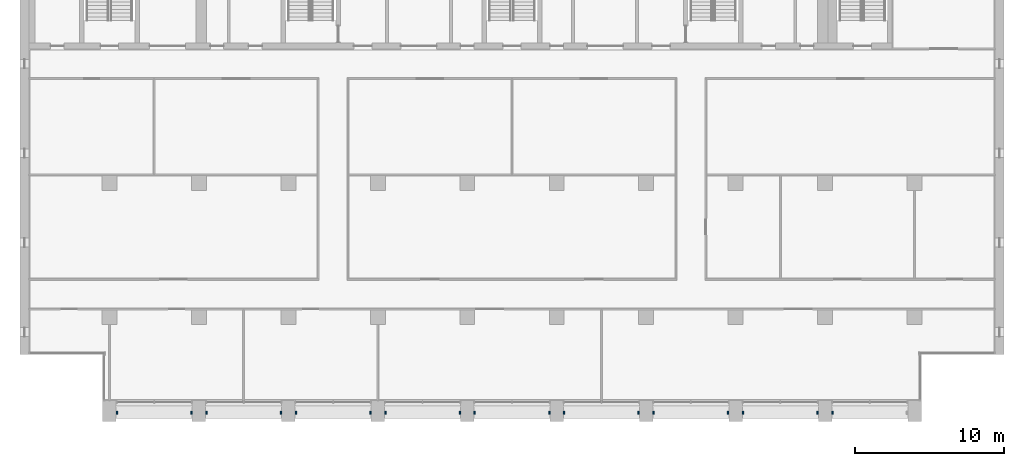
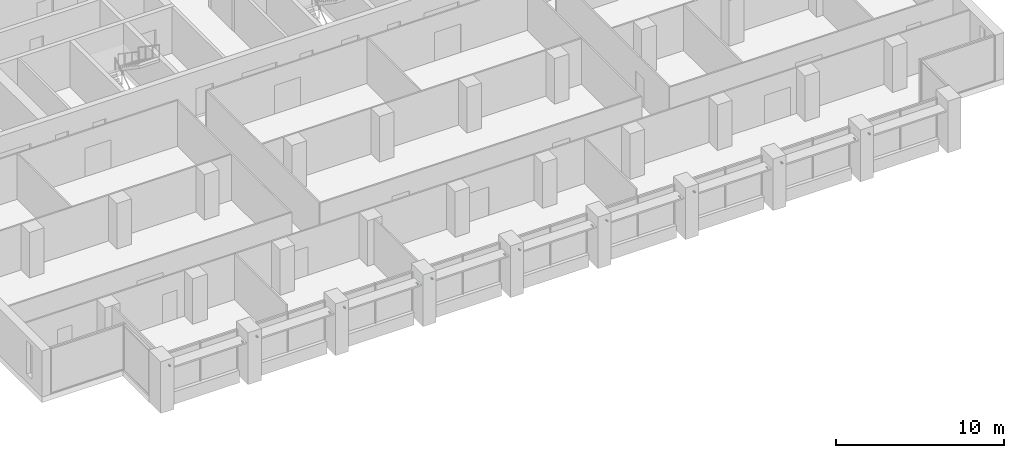
# One storey, part 14 of 17: 17 discrete accessories.
"""IFC4 building model written with IfcOpenShell, lengths in metres."""

from ifc_helpers import new_model, si_unit, direction, frame, origin, origin_2d, place, context, subcontext, project, spatial, rectangle, extrude, element, save


model = new_model("IFC4")

# Units and contexts
model_context = context("Model", 3, precision=1e-05, world=origin(), true_north=direction((0.0, 1.0)))
body_context = subcontext(model_context, "Body", "Model", "MODEL_VIEW")
ifc_project = project(units=[si_unit("LENGTHUNIT", "METRE"), si_unit("AREAUNIT", "SQUARE_METRE"), si_unit("VOLUMEUNIT", "CUBIC_METRE"), si_unit("PLANEANGLEUNIT", "RADIAN"), si_unit("MASSUNIT", "GRAM", prefix="KILO")], contexts=[model_context])

# Site, building, storey
site_placement = place(None, origin())
site = spatial("IfcSite", under=ifc_project, at=site_placement, CompositionType="ELEMENT")
building_placement = place(site_placement, origin())
building = spatial("IfcBuilding", under=site, at=building_placement, Name="Calvaro Tower", CompositionType="ELEMENT")
storey_placement = place(building_placement, frame((0.0, 0.0, 215.5)))
storey = spatial("IfcBuildingStorey", under=building, at=storey_placement, Name="L54", CompositionType="ELEMENT", Elevation=215.5)

# Discrete accessories
for number, where, z_axis, x_axis, name in (
    (1, (12.5, 3.60009765625, 2.349853515625), (0.0, 0.0, 1.0), (1.0, 0.0, 0.0), "Brise-soleil bracket"),
    (2, (17.5, 3.60009765625, 2.349853515625), (0.0, 0.0, 1.0), (1.0, 0.0, 0.0), "Brise-soleil bracket"),
    (3, (18.5, 3.60009765625, 2.349853515625), (0.0, 0.0, 1.0), (1.0, 0.0, 0.0), "Brise-soleil bracket"),
    (4, (23.5, 3.60009765625, 2.349853515625), (0.0, 0.0, 1.0), (1.0, 0.0, 0.0), "Brise-soleil bracket"),
    (5, (24.5, 3.60009765625, 2.349853515625), (0.0, 0.0, 1.0), (1.0, 0.0, 0.0), "Brise-soleil bracket"),
    (6, (29.5, 3.60009765625, 2.349853515625), (0.0, 0.0, 1.0), (1.0, 0.0, 0.0), "Brise-soleil bracket"),
    (7, (30.5, 3.60009765625, 2.349853515625), (0.0, 0.0, 1.0), (1.0, 0.0, 0.0), "Brise-soleil bracket"),
    (8, (35.5, 3.60009765625, 2.349853515625), (0.0, 0.0, 1.0), (1.0, 0.0, 0.0), "Brise-soleil bracket"),
    (9, (36.5, 3.60009765625, 2.349853515625), (0.0, 0.0, 1.0), (1.0, 0.0, 0.0), "Brise-soleil bracket"),
    (10, (41.5, 3.60009765625, 2.349853515625), (0.0, 0.0, 1.0), (1.0, 0.0, 0.0), "Brise-soleil bracket"),
    (11, (42.5, 3.60009765625, 2.349853515625), (0.0, 0.0, 1.0), (1.0, 0.0, 0.0), "Brise-soleil bracket"),
    (12, (47.5, 3.60009765625, 2.349853515625), (0.0, 0.0, 1.0), (1.0, 0.0, 0.0), "Brise-soleil bracket"),
    (13, (48.5, 3.60009765625, 2.349853515625), (0.0, 0.0, 1.0), (1.0, 0.0, 0.0), "Brise-soleil bracket"),
    (14, (53.5, 3.60009765625, 2.349853515625), (0.0, 0.0, 1.0), (1.0, 0.0, 0.0), "Brise-soleil bracket"),
    (15, (54.5, 3.60009765625, 2.349853515625), (0.0, 0.0, 1.0), (1.0, 0.0, 0.0), "Brise-soleil bracket"),
    (16, (59.5, 3.60009765625, 2.349853515625), (0.0, 0.0, 1.0), (1.0, 0.0, 0.0), "Brise-soleil bracket"),
    (17, (60.5, 3.60009765625, 2.349853515625), (0.0, 0.0, 1.0), (1.0, 0.0, 0.0), "Brise-soleil bracket"),
):
    element("IfcDiscreteAccessory", number, at=place(storey_placement, frame(where, z_axis=z_axis, x_axis=x_axis)), inside=storey, Name=name, PredefinedType="BRACKET", context=body_context, shape_type="SweptSolid", body=[
        extrude(rectangle(XDim=0.10009765625, YDim=0.199951171875, at=origin_2d()), origin(), (0.0, 0.0, 1.0), 0.10009765625),
    ])

save(model, "model.ifc")
